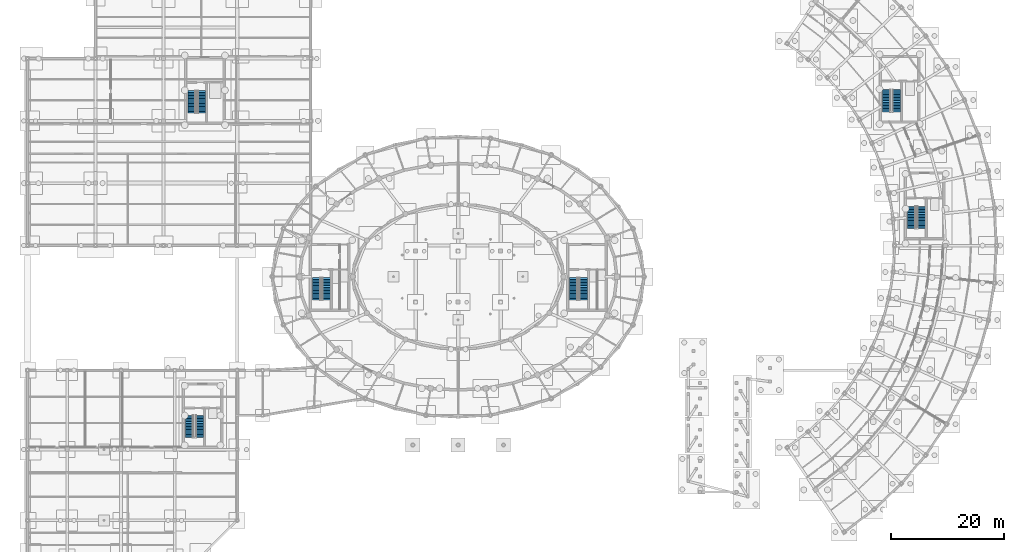
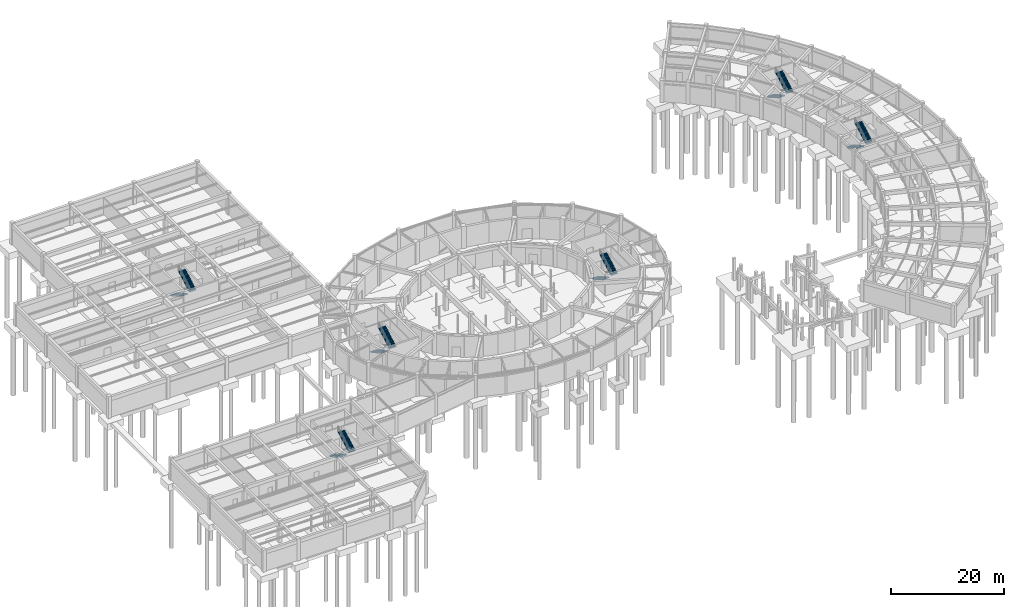
# One storey, part 28 of 42: 12 stair flights, 6 elements without a shape of their own.
"""IFC4 building model written with IfcOpenShell, lengths in metres."""

import ifcopenshell
import ifcopenshell.guid

model = None  # the IFC model being written
_history = None  # IfcOwnerHistory: only IFC2X3 demands one
_inside = {}  # id of a spatial element -> (the spatial element, [elements in it])
_under = {}  # id of a project, library or spatial element -> (it, [spatial elements below it])
_declared = {}  # id of a project -> (the project, [libraries it declares])
_typed = {}  # id of a type object -> (the type object, [elements of that type])
_made_of = {}  # id of a material, layer set ... -> (it, [elements and type objects made of it])


def new_model(schema):
    """Start an empty IFC model of exactly this schema.

    Asked for "IFC4X3", IfcOpenShell would pick the latest addendum, in which some entities
    have other attributes; the version numbers below select the first issue.
    IFC2X3 requires an IfcOwnerHistory on every rooted entity: one is made here for all.
    """
    global model, _history
    if schema == "IFC4X3":
        model = ifcopenshell.file(schema_version=(4, 3, 0, 0))
    else:
        model = ifcopenshell.file(schema=schema)
    _inside.clear()
    _under.clear()
    _declared.clear()
    _typed.clear()
    _made_of.clear()
    _history = None
    if model.schema == "IFC2X3":
        org = make("IfcOrganization", Name="unknown")
        user = make(
            "IfcPersonAndOrganization",
            ThePerson=make("IfcPerson", FamilyName="unknown"),
            TheOrganization=org,
        )
        app = make(
            "IfcApplication",
            ApplicationDeveloper=org,
            Version="unknown",
            ApplicationFullName="unknown",
            ApplicationIdentifier="unknown",
        )
        _history = make(
            "IfcOwnerHistory",
            OwningUser=user,
            OwningApplication=app,
            ChangeAction="ADDED",
            CreationDate=0,
        )
    return model


def make(cls, **values):
    """One entity of the class cls with the attributes given. An attribute that is None is left unset."""
    return model.create_entity(
        cls, **{name: value for name, value in values.items() if value is not None}
    )


def rooted(cls, **values):
    """An entity with a GlobalId (a new one), such as an element, a storey or a relation."""
    return make(cls, GlobalId=ifcopenshell.guid.new(), OwnerHistory=_history, **values)


def si_unit(unit_type, name, prefix=None):
    """IfcSIUnit, for example si_unit("LENGTHUNIT", "METRE", prefix="MILLI")."""
    return make("IfcSIUnit", UnitType=unit_type, Prefix=prefix, Name=name)


def assignment(units):
    """IfcUnitAssignment: the units of a project."""
    return None if units is None else make("IfcUnitAssignment", Units=units)


def point(xyz):
    """IfcCartesianPoint."""
    return None if xyz is None else make("IfcCartesianPoint", Coordinates=xyz)


def direction(xyz):
    """IfcDirection."""
    return None if xyz is None else make("IfcDirection", DirectionRatios=xyz)


def frame(location, z_axis=None, x_axis=None):
    """IfcAxis2Placement3D, a coordinate frame: its origin and axes. An axis left out is left unset."""
    return make(
        "IfcAxis2Placement3D",
        Location=point(location),
        Axis=direction(z_axis),
        RefDirection=direction(x_axis),
    )


def origin():
    """The frame at (0, 0, 0) with its axes left unset."""
    return frame((0.0, 0.0, 0.0))


def place(relative_to, where):
    """IfcLocalPlacement: puts the frame where relative to a parent placement (None: the world)."""
    return make(
        "IfcLocalPlacement", PlacementRelTo=relative_to, RelativePlacement=where
    )


def context(
    kind, dimensions, precision=None, world=None, true_north=None, identifier=None
):
    """IfcGeometricRepresentationContext, for example the 3D "Model" context."""
    return make(
        "IfcGeometricRepresentationContext",
        ContextIdentifier=identifier,
        ContextType=kind,
        CoordinateSpaceDimension=dimensions,
        Precision=precision,
        WorldCoordinateSystem=world,
        TrueNorth=true_north,
    )


def subcontext(parent, identifier, kind, view, scale=None):
    """IfcGeometricRepresentationSubContext, for example "Body" below "Model"."""
    return make(
        "IfcGeometricRepresentationSubContext",
        ContextIdentifier=identifier,
        ContextType=kind,
        ParentContext=parent,
        TargetScale=scale,
        TargetView=view,
    )


def project(units=None, contexts=None):
    """IfcProject with its units and contexts."""
    return rooted(
        "IfcProject",
        Name="project",
        RepresentationContexts=contexts,
        UnitsInContext=assignment(units),
    )


def spatial(cls, under=None, at=None, **own):
    """A site, building, storey or space (cls), placed at a placement, below another one or the project."""
    s = rooted(cls, ObjectPlacement=at, **own)
    if under is not None:
        _under.setdefault(under.id(), (under, []))[1].append(s)
    return s


def polyline(points):
    """IfcPolyline through the points."""
    return make("IfcPolyline", Points=[point(p) for p in points])


def outline(outer, holes=None, kind="AREA"):
    """IfcArbitraryClosedProfileDef: a profile drawn as a closed curve; with holes, ...WithVoids."""
    if holes is None:
        return make("IfcArbitraryClosedProfileDef", ProfileType=kind, OuterCurve=outer)
    return make(
        "IfcArbitraryProfileDefWithVoids",
        ProfileType=kind,
        OuterCurve=outer,
        InnerCurves=holes,
    )


def extrude(swept, where, along, depth):
    """IfcExtrudedAreaSolid: the profile swept, set in the frame where, extruded along a direction by depth."""
    return make(
        "IfcExtrudedAreaSolid",
        SweptArea=swept,
        Position=where,
        ExtrudedDirection=direction(along),
        Depth=depth,
    )


def shape(context_of_items, identifier, shape_type, items):
    """IfcShapeRepresentation: the items that make up one representation, for example the "Body"."""
    return make(
        "IfcShapeRepresentation",
        ContextOfItems=context_of_items,
        RepresentationIdentifier=identifier,
        RepresentationType=shape_type,
        Items=items,
    )


def material(Name=None, Category=None):
    """IfcMaterial."""
    return make("IfcMaterial", Name=Name, Category=Category)


def made_of(thing, what):
    """Note that an element or type object is made of a material, layer set ...; save() writes the relation."""
    if what is not None:
        _made_of.setdefault(what.id(), (what, []))[1].append(thing)
    return thing


def type_object(cls, material=None, **own):
    """A type object (cls), such as IfcWallType, which elements share."""
    return made_of(rooted(cls, **own), material)


def element(
    cls,
    number,
    at=None,
    inside=None,
    cuts=None,
    type_object=None,
    material=None,
    context=None,
    identifier="Body",
    shape_type=None,
    held_by="IfcProductDefinitionShape",
    body=None,
    shapes=None,
    **own,
):
    """One element of the class cls, such as IfcWall. Its Tag is "e" and its number.

    at: its placement. inside: the storey or other place that contains it. cuts: it is an
    opening in that element (IfcRelVoidsElement). A single representation is given by context,
    identifier, shape_type and body (its items); several are given by shapes. held_by: the class
    of the entity that holds the representations. save() writes the other relations.
    """
    e = rooted(cls, Tag="e%d" % number, ObjectPlacement=at, **own)
    if body is not None:
        shapes = [shape(context, identifier, shape_type, body)]
    if shapes is not None:
        e.Representation = make(held_by, Representations=shapes)
    if inside is not None:
        _inside.setdefault(inside.id(), (inside, []))[1].append(e)
    if cuts is not None:
        rooted(
            "IfcRelVoidsElement", RelatingBuildingElement=cuts, RelatedOpeningElement=e
        )
    if type_object is not None:
        _typed.setdefault(type_object.id(), (type_object, []))[1].append(e)
    return made_of(e, material)


def aggregate(whole, parts):
    """IfcRelAggregates: a whole, such as a stair, and the parts it consists of."""
    return rooted("IfcRelAggregates", RelatingObject=whole, RelatedObjects=parts)


def save(model, path):
    """Write the relations noted so far, then the file.

    IfcRelAggregates (storeys below a building ...), IfcRelContainedInSpatialStructure (elements
    in a storey), IfcRelDefinesByType, IfcRelAssociatesMaterial and IfcRelDeclares: one each for
    every whole, place, type object, material and project.
    """
    for whole, parts in _under.values():
        aggregate(whole, parts)
    for where, things in _inside.values():
        rooted(
            "IfcRelContainedInSpatialStructure",
            RelatedElements=things,
            RelatingStructure=where,
        )
    for kind, things in _typed.values():
        rooted("IfcRelDefinesByType", RelatedObjects=things, RelatingType=kind)
    for what, things in _made_of.values():
        rooted("IfcRelAssociatesMaterial", RelatedObjects=things, RelatingMaterial=what)
    for by, libraries in _declared.values():
        rooted("IfcRelDeclares", RelatingContext=by, RelatedDefinitions=libraries)
    model.write(path)


model = new_model("IFC4")

# Units and contexts
model_context = context("Model", 3, precision=1e-05, world=origin(), true_north=direction((0.0, 1.0)))
body_context = subcontext(model_context, "Body", "Model", "MODEL_VIEW")
ifc_project = project(units=[si_unit("LENGTHUNIT", "METRE"), si_unit("AREAUNIT", "SQUARE_METRE"), si_unit("VOLUMEUNIT", "CUBIC_METRE"), si_unit("PLANEANGLEUNIT", "RADIAN"), si_unit("MASSUNIT", "GRAM", prefix="KILO")], contexts=[model_context])

# Site, building, storey
site_placement = place(None, origin())
site = spatial("IfcSite", under=ifc_project, at=site_placement, CompositionType="ELEMENT")
building_placement = place(site_placement, origin())
building = spatial("IfcBuilding", under=site, at=building_placement, Name="Tarnveldt Headland Concert Hall", CompositionType="ELEMENT")
storey_placement = place(building_placement, frame((0.0, 0.0, -4.800048828125)))
storey = spatial("IfcBuildingStorey", under=building, at=storey_placement, Name="B1", CompositionType="ELEMENT", Elevation=-4.800048828125)

# Stair, stair flights
ifc_material = material(Name="Concrete C40/50", Category="concrete")
stair_type_1 = type_object("IfcStairType", Name="ST-C5-480", PredefinedType="HALF_TURN_STAIR", material=ifc_material)
stair_1_placement = place(storey_placement, origin())
stair_1 = element("IfcStair", 1, at=stair_1_placement, inside=storey, type_object=stair_type_1, Name="Exit stair STR-C5-B1", PredefinedType="HALF_TURN_STAIR")
stair_flight_type_1 = type_object("IfcStairFlightType", Name="SF-134x160", PredefinedType="STRAIGHT", material=ifc_material)
stair_flight_1_placement = place(storey_placement, frame((36.06005859375, 30.0400390625, 0.0), z_axis=(0.0, 0.0, 1.0), x_axis=(0.0, -1.0, 0.0)))
stair_flight_1 = element("IfcStairFlight", 2, at=stair_flight_1_placement, type_object=stair_flight_type_1, Name="Stair flight STR-C5-B1-F1", NumberOfRisers=15, NumberOfTreads=14, PredefinedType="STRAIGHT", RiserHeight=0.16, TreadLength=0.28, context=body_context, shape_type="SweptSolid", body=[
    extrude(outline(polyline([(0.0, 0.0), (0.0, 0.159912109375), (0.280029296875, 0.159912109375), (0.280029296875, 0.320068359375), (0.56005859375, 0.320068359375), (0.56005859375, 0.47998046875), (0.840087890625, 0.47998046875), (0.840087890625, 0.639892578125), (1.1201171875, 0.639892578125), (1.1201171875, 0.800048828125), (1.39990234375, 0.800048828125), (1.39990234375, 0.9599609375), (1.679931640625, 0.9599609375), (1.679931640625, 1.1201171875), (1.9599609375, 1.1201171875), (1.9599609375, 1.280029296875), (2.239990234375, 1.280029296875), (2.239990234375, 1.43994140625), (2.52001953125, 1.43994140625), (2.52001953125, 1.60009765625), (2.800048828125, 1.60009765625), (2.800048828125, 1.760009765625), (3.080078125, 1.760009765625), (3.080078125, 1.919921875), (3.360107421875, 1.919921875), (3.360107421875, 2.080078125), (3.639892578125, 2.080078125), (3.639892578125, 2.239990234375), (3.919921875, 2.239990234375), (3.919921875, 2.39990234375), (3.919921875, 2.055908203125), (0.322265625, 0.0), (0.0, 0.0)])), frame((0.0, 0.669921875, 0.0), z_axis=(0.0, -1.0, 0.0), x_axis=(1.0, 0.0, 0.0)), (0.0, 0.0, 1.0), 1.340087890625),
])
stair_flight_2_placement = place(storey_placement, frame((37.860107421875, 26.1201171875, 2.400146484375), z_axis=(0.0, 0.0, 1.0), x_axis=(0.0, 1.0, 0.0)))
stair_flight_2 = element("IfcStairFlight", 3, at=stair_flight_2_placement, type_object=stair_flight_type_1, Name="Stair flight STR-C5-B1-F2", NumberOfRisers=15, NumberOfTreads=14, PredefinedType="STRAIGHT", RiserHeight=0.16, TreadLength=0.28, context=body_context, shape_type="SweptSolid", body=[
    extrude(outline(polyline([(0.0, 0.0), (0.0, 0.159912109375), (0.280029296875, 0.159912109375), (0.280029296875, 0.320068359375), (0.56005859375, 0.320068359375), (0.56005859375, 0.47998046875), (0.840087890625, 0.47998046875), (0.840087890625, 0.639892578125), (1.1201171875, 0.639892578125), (1.1201171875, 0.800048828125), (1.39990234375, 0.800048828125), (1.39990234375, 0.9599609375), (1.679931640625, 0.9599609375), (1.679931640625, 1.1201171875), (1.9599609375, 1.1201171875), (1.9599609375, 1.280029296875), (2.239990234375, 1.280029296875), (2.239990234375, 1.43994140625), (2.52001953125, 1.43994140625), (2.52001953125, 1.60009765625), (2.800048828125, 1.60009765625), (2.800048828125, 1.760009765625), (3.080078125, 1.760009765625), (3.080078125, 1.919921875), (3.360107421875, 1.919921875), (3.360107421875, 2.080078125), (3.639892578125, 2.080078125), (3.639892578125, 2.239990234375), (3.919921875, 2.239990234375), (3.919921875, 2.39990234375), (3.919921875, 2.055908203125), (0.322265625, 0.0), (0.0, 0.0)])), frame((0.0, 0.669921875, 0.0), z_axis=(0.0, -1.0, 0.0), x_axis=(1.0, 0.0, 0.0)), (0.0, 0.0, 1.0), 1.340087890625),
])
aggregate(stair_1, [stair_flight_1, stair_flight_2])

stair_type_2 = type_object("IfcStairType", Name="ST-CORE480", PredefinedType="HALF_TURN_STAIR", material=ifc_material)
stair_2_placement = place(storey_placement, origin())
stair_2 = element("IfcStair", 4, at=stair_2_placement, inside=storey, type_object=stair_type_2, Name="Exit stair STR-C1-B1", PredefinedType="HALF_TURN_STAIR")
stair_flight_type_2 = type_object("IfcStairFlightType", Name="SF-140x160", PredefinedType="STRAIGHT", material=ifc_material)
stair_flight_3_placement = place(storey_placement, frame((58.489990234375, 54.320068359375, 0.0), z_axis=(0.0, 0.0, 1.0), x_axis=(0.0, -1.0, 0.0)))
stair_flight_3 = element("IfcStairFlight", 5, at=stair_flight_3_placement, type_object=stair_flight_type_2, Name="Stair flight STR-C1-B1-F1", NumberOfRisers=15, NumberOfTreads=14, PredefinedType="STRAIGHT", RiserHeight=0.16, TreadLength=0.28, context=body_context, shape_type="SweptSolid", body=[
    extrude(outline(polyline([(0.0, 0.0), (0.0, 0.159912109375), (0.280029296875, 0.159912109375), (0.280029296875, 0.320068359375), (0.56005859375, 0.320068359375), (0.56005859375, 0.47998046875), (0.840087890625, 0.47998046875), (0.840087890625, 0.639892578125), (1.1201171875, 0.639892578125), (1.1201171875, 0.800048828125), (1.39990234375, 0.800048828125), (1.39990234375, 0.9599609375), (1.679931640625, 0.9599609375), (1.679931640625, 1.1201171875), (1.9599609375, 1.1201171875), (1.9599609375, 1.280029296875), (2.239990234375, 1.280029296875), (2.239990234375, 1.43994140625), (2.52001953125, 1.43994140625), (2.52001953125, 1.60009765625), (2.800048828125, 1.60009765625), (2.800048828125, 1.760009765625), (3.080078125, 1.760009765625), (3.080078125, 1.919921875), (3.360107421875, 1.919921875), (3.360107421875, 2.080078125), (3.639892578125, 2.080078125), (3.639892578125, 2.239990234375), (3.919921875, 2.239990234375), (3.919921875, 2.39990234375), (3.919921875, 2.055908203125), (0.322265625, 0.0), (0.0, 0.0)])), frame((0.0, 0.699951171875, 0.0), z_axis=(0.0, -1.0, 0.0), x_axis=(1.0, 0.0, 0.0)), (0.0, 0.0, 1.0), 1.39990234375),
])
stair_flight_4_placement = place(storey_placement, frame((60.22998046875, 50.39990234375, 2.400146484375), z_axis=(0.0, 0.0, 1.0), x_axis=(0.0, 1.0, 0.0)))
stair_flight_4 = element("IfcStairFlight", 6, at=stair_flight_4_placement, type_object=stair_flight_type_2, Name="Stair flight STR-C1-B1-F2", NumberOfRisers=15, NumberOfTreads=14, PredefinedType="STRAIGHT", RiserHeight=0.16, TreadLength=0.28, context=body_context, shape_type="SweptSolid", body=[
    extrude(outline(polyline([(0.0, 0.0), (0.0, 0.159912109375), (0.280029296875, 0.159912109375), (0.280029296875, 0.320068359375), (0.56005859375, 0.320068359375), (0.56005859375, 0.47998046875), (0.840087890625, 0.47998046875), (0.840087890625, 0.639892578125), (1.1201171875, 0.639892578125), (1.1201171875, 0.800048828125), (1.39990234375, 0.800048828125), (1.39990234375, 0.9599609375), (1.679931640625, 0.9599609375), (1.679931640625, 1.1201171875), (1.9599609375, 1.1201171875), (1.9599609375, 1.280029296875), (2.239990234375, 1.280029296875), (2.239990234375, 1.43994140625), (2.52001953125, 1.43994140625), (2.52001953125, 1.60009765625), (2.800048828125, 1.60009765625), (2.800048828125, 1.760009765625), (3.080078125, 1.760009765625), (3.080078125, 1.919921875), (3.360107421875, 1.919921875), (3.360107421875, 2.080078125), (3.639892578125, 2.080078125), (3.639892578125, 2.239990234375), (3.919921875, 2.239990234375), (3.919921875, 2.39990234375), (3.919921875, 2.055908203125), (0.322265625, 0.0), (0.0, 0.0)])), frame((0.0, 0.699951171875, 0.0), z_axis=(0.0, -1.0, 0.0), x_axis=(1.0, 0.0, 0.0)), (0.0, 0.0, 1.0), 1.39990234375),
])
aggregate(stair_2, [stair_flight_3, stair_flight_4])

stair_3_placement = place(storey_placement, origin())
stair_3 = element("IfcStair", 7, at=stair_3_placement, inside=storey, type_object=stair_type_2, Name="Exit stair STR-C2-B1", PredefinedType="HALF_TURN_STAIR")
stair_flight_5_placement = place(storey_placement, frame((103.889892578125, 54.320068359375, 0.0), z_axis=(0.0, 0.0, 1.0), x_axis=(0.0, -1.0, 0.0)))
stair_flight_5 = element("IfcStairFlight", 8, at=stair_flight_5_placement, type_object=stair_flight_type_2, Name="Stair flight STR-C2-B1-F1", NumberOfRisers=15, NumberOfTreads=14, PredefinedType="STRAIGHT", RiserHeight=0.16, TreadLength=0.28, context=body_context, shape_type="SweptSolid", body=[
    extrude(outline(polyline([(0.0, 0.0), (0.0, 0.159912109375), (0.280029296875, 0.159912109375), (0.280029296875, 0.320068359375), (0.56005859375, 0.320068359375), (0.56005859375, 0.47998046875), (0.840087890625, 0.47998046875), (0.840087890625, 0.639892578125), (1.1201171875, 0.639892578125), (1.1201171875, 0.800048828125), (1.39990234375, 0.800048828125), (1.39990234375, 0.9599609375), (1.679931640625, 0.9599609375), (1.679931640625, 1.1201171875), (1.9599609375, 1.1201171875), (1.9599609375, 1.280029296875), (2.239990234375, 1.280029296875), (2.239990234375, 1.43994140625), (2.52001953125, 1.43994140625), (2.52001953125, 1.60009765625), (2.800048828125, 1.60009765625), (2.800048828125, 1.760009765625), (3.080078125, 1.760009765625), (3.080078125, 1.919921875), (3.360107421875, 1.919921875), (3.360107421875, 2.080078125), (3.639892578125, 2.080078125), (3.639892578125, 2.239990234375), (3.919921875, 2.239990234375), (3.919921875, 2.39990234375), (3.919921875, 2.055908203125), (0.322265625, 0.0), (0.0, 0.0)])), frame((0.0, 0.699951171875, 0.0), z_axis=(0.0, -1.0, 0.0), x_axis=(1.0, 0.0, 0.0)), (0.0, 0.0, 1.0), 1.39990234375),
])
stair_flight_6_placement = place(storey_placement, frame((105.6298828125, 50.39990234375, 2.400146484375), z_axis=(0.0, 0.0, 1.0), x_axis=(0.0, 1.0, 0.0)))
stair_flight_6 = element("IfcStairFlight", 9, at=stair_flight_6_placement, type_object=stair_flight_type_2, Name="Stair flight STR-C2-B1-F2", NumberOfRisers=15, NumberOfTreads=14, PredefinedType="STRAIGHT", RiserHeight=0.16, TreadLength=0.28, context=body_context, shape_type="SweptSolid", body=[
    extrude(outline(polyline([(0.0, 0.0), (0.0, 0.159912109375), (0.280029296875, 0.159912109375), (0.280029296875, 0.320068359375), (0.56005859375, 0.320068359375), (0.56005859375, 0.47998046875), (0.840087890625, 0.47998046875), (0.840087890625, 0.639892578125), (1.1201171875, 0.639892578125), (1.1201171875, 0.800048828125), (1.39990234375, 0.800048828125), (1.39990234375, 0.9599609375), (1.679931640625, 0.9599609375), (1.679931640625, 1.1201171875), (1.9599609375, 1.1201171875), (1.9599609375, 1.280029296875), (2.239990234375, 1.280029296875), (2.239990234375, 1.43994140625), (2.52001953125, 1.43994140625), (2.52001953125, 1.60009765625), (2.800048828125, 1.60009765625), (2.800048828125, 1.760009765625), (3.080078125, 1.760009765625), (3.080078125, 1.919921875), (3.360107421875, 1.919921875), (3.360107421875, 2.080078125), (3.639892578125, 2.080078125), (3.639892578125, 2.239990234375), (3.919921875, 2.239990234375), (3.919921875, 2.39990234375), (3.919921875, 2.055908203125), (0.322265625, 0.0), (0.0, 0.0)])), frame((0.0, 0.699951171875, 0.0), z_axis=(0.0, -1.0, 0.0), x_axis=(1.0, 0.0, 0.0)), (0.0, 0.0, 1.0), 1.39990234375),
])
aggregate(stair_3, [stair_flight_5, stair_flight_6])

stair_4_placement = place(storey_placement, origin())
stair_4 = element("IfcStair", 10, at=stair_4_placement, inside=storey, type_object=stair_type_2, Name="Exit stair STR-C3-B1", PredefinedType="HALF_TURN_STAIR")
stair_flight_7_placement = place(storey_placement, frame((159.090087890625, 87.52001953125, 0.0), z_axis=(0.0, 0.0, 1.0), x_axis=(0.0, -1.0, 0.0)))
stair_flight_7 = element("IfcStairFlight", 11, at=stair_flight_7_placement, type_object=stair_flight_type_2, Name="Stair flight STR-C3-B1-F1", NumberOfRisers=15, NumberOfTreads=14, PredefinedType="STRAIGHT", RiserHeight=0.16, TreadLength=0.28, context=body_context, shape_type="SweptSolid", body=[
    extrude(outline(polyline([(0.0, 0.0), (0.0, 0.159912109375), (0.280029296875, 0.159912109375), (0.280029296875, 0.320068359375), (0.56005859375, 0.320068359375), (0.56005859375, 0.47998046875), (0.840087890625, 0.47998046875), (0.840087890625, 0.639892578125), (1.1201171875, 0.639892578125), (1.1201171875, 0.800048828125), (1.39990234375, 0.800048828125), (1.39990234375, 0.9599609375), (1.679931640625, 0.9599609375), (1.679931640625, 1.1201171875), (1.9599609375, 1.1201171875), (1.9599609375, 1.280029296875), (2.239990234375, 1.280029296875), (2.239990234375, 1.43994140625), (2.52001953125, 1.43994140625), (2.52001953125, 1.60009765625), (2.800048828125, 1.60009765625), (2.800048828125, 1.760009765625), (3.080078125, 1.760009765625), (3.080078125, 1.919921875), (3.360107421875, 1.919921875), (3.360107421875, 2.080078125), (3.639892578125, 2.080078125), (3.639892578125, 2.239990234375), (3.919921875, 2.239990234375), (3.919921875, 2.39990234375), (3.919921875, 2.055908203125), (0.322265625, 0.0), (0.0, 0.0)])), frame((0.0, 0.699951171875, 0.0), z_axis=(0.0, -1.0, 0.0), x_axis=(1.0, 0.0, 0.0)), (0.0, 0.0, 1.0), 1.39990234375),
])
stair_flight_8_placement = place(storey_placement, frame((160.830078125, 83.60009765625, 2.400146484375), z_axis=(0.0, 0.0, 1.0), x_axis=(0.0, 1.0, 0.0)))
stair_flight_8 = element("IfcStairFlight", 12, at=stair_flight_8_placement, type_object=stair_flight_type_2, Name="Stair flight STR-C3-B1-F2", NumberOfRisers=15, NumberOfTreads=14, PredefinedType="STRAIGHT", RiserHeight=0.16, TreadLength=0.28, context=body_context, shape_type="SweptSolid", body=[
    extrude(outline(polyline([(0.0, 0.0), (0.0, 0.159912109375), (0.280029296875, 0.159912109375), (0.280029296875, 0.320068359375), (0.56005859375, 0.320068359375), (0.56005859375, 0.47998046875), (0.840087890625, 0.47998046875), (0.840087890625, 0.639892578125), (1.1201171875, 0.639892578125), (1.1201171875, 0.800048828125), (1.39990234375, 0.800048828125), (1.39990234375, 0.9599609375), (1.679931640625, 0.9599609375), (1.679931640625, 1.1201171875), (1.9599609375, 1.1201171875), (1.9599609375, 1.280029296875), (2.239990234375, 1.280029296875), (2.239990234375, 1.43994140625), (2.52001953125, 1.43994140625), (2.52001953125, 1.60009765625), (2.800048828125, 1.60009765625), (2.800048828125, 1.760009765625), (3.080078125, 1.760009765625), (3.080078125, 1.919921875), (3.360107421875, 1.919921875), (3.360107421875, 2.080078125), (3.639892578125, 2.080078125), (3.639892578125, 2.239990234375), (3.919921875, 2.239990234375), (3.919921875, 2.39990234375), (3.919921875, 2.055908203125), (0.322265625, 0.0), (0.0, 0.0)])), frame((0.0, 0.699951171875, 0.0), z_axis=(0.0, -1.0, 0.0), x_axis=(1.0, 0.0, 0.0)), (0.0, 0.0, 1.0), 1.39990234375),
])
aggregate(stair_4, [stair_flight_7, stair_flight_8])

stair_5_placement = place(storey_placement, origin())
stair_5 = element("IfcStair", 13, at=stair_5_placement, inside=storey, type_object=stair_type_2, Name="Exit stair STR-C4-B1", PredefinedType="HALF_TURN_STAIR")
stair_flight_9_placement = place(storey_placement, frame((163.489990234375, 66.919921875, 0.0), z_axis=(0.0, 0.0, 1.0), x_axis=(0.0, -1.0, 0.0)))
stair_flight_9 = element("IfcStairFlight", 14, at=stair_flight_9_placement, type_object=stair_flight_type_2, Name="Stair flight STR-C4-B1-F1", NumberOfRisers=15, NumberOfTreads=14, PredefinedType="STRAIGHT", RiserHeight=0.16, TreadLength=0.28, context=body_context, shape_type="SweptSolid", body=[
    extrude(outline(polyline([(0.0, 0.0), (0.0, 0.159912109375), (0.280029296875, 0.159912109375), (0.280029296875, 0.320068359375), (0.56005859375, 0.320068359375), (0.56005859375, 0.47998046875), (0.840087890625, 0.47998046875), (0.840087890625, 0.639892578125), (1.1201171875, 0.639892578125), (1.1201171875, 0.800048828125), (1.39990234375, 0.800048828125), (1.39990234375, 0.9599609375), (1.679931640625, 0.9599609375), (1.679931640625, 1.1201171875), (1.9599609375, 1.1201171875), (1.9599609375, 1.280029296875), (2.239990234375, 1.280029296875), (2.239990234375, 1.43994140625), (2.52001953125, 1.43994140625), (2.52001953125, 1.60009765625), (2.800048828125, 1.60009765625), (2.800048828125, 1.760009765625), (3.080078125, 1.760009765625), (3.080078125, 1.919921875), (3.360107421875, 1.919921875), (3.360107421875, 2.080078125), (3.639892578125, 2.080078125), (3.639892578125, 2.239990234375), (3.919921875, 2.239990234375), (3.919921875, 2.39990234375), (3.919921875, 2.055908203125), (0.322265625, 0.0), (0.0, 0.0)])), frame((0.0, 0.699951171875, 0.0), z_axis=(0.0, -1.0, 0.0), x_axis=(1.0, 0.0, 0.0)), (0.0, 0.0, 1.0), 1.39990234375),
])
stair_flight_10_placement = place(storey_placement, frame((165.22998046875, 63.0, 2.400146484375), z_axis=(0.0, 0.0, 1.0), x_axis=(0.0, 1.0, 0.0)))
stair_flight_10 = element("IfcStairFlight", 15, at=stair_flight_10_placement, type_object=stair_flight_type_2, Name="Stair flight STR-C4-B1-F2", NumberOfRisers=15, NumberOfTreads=14, PredefinedType="STRAIGHT", RiserHeight=0.16, TreadLength=0.28, context=body_context, shape_type="SweptSolid", body=[
    extrude(outline(polyline([(0.0, 0.0), (0.0, 0.159912109375), (0.280029296875, 0.159912109375), (0.280029296875, 0.320068359375), (0.56005859375, 0.320068359375), (0.56005859375, 0.47998046875), (0.840087890625, 0.47998046875), (0.840087890625, 0.639892578125), (1.1201171875, 0.639892578125), (1.1201171875, 0.800048828125), (1.39990234375, 0.800048828125), (1.39990234375, 0.9599609375), (1.679931640625, 0.9599609375), (1.679931640625, 1.1201171875), (1.9599609375, 1.1201171875), (1.9599609375, 1.280029296875), (2.239990234375, 1.280029296875), (2.239990234375, 1.43994140625), (2.52001953125, 1.43994140625), (2.52001953125, 1.60009765625), (2.800048828125, 1.60009765625), (2.800048828125, 1.760009765625), (3.080078125, 1.760009765625), (3.080078125, 1.919921875), (3.360107421875, 1.919921875), (3.360107421875, 2.080078125), (3.639892578125, 2.080078125), (3.639892578125, 2.239990234375), (3.919921875, 2.239990234375), (3.919921875, 2.39990234375), (3.919921875, 2.055908203125), (0.322265625, 0.0), (0.0, 0.0)])), frame((0.0, 0.699951171875, 0.0), z_axis=(0.0, -1.0, 0.0), x_axis=(1.0, 0.0, 0.0)), (0.0, 0.0, 1.0), 1.39990234375),
])
aggregate(stair_5, [stair_flight_9, stair_flight_10])

stair_6_placement = place(storey_placement, origin())
stair_6 = element("IfcStair", 16, at=stair_6_placement, inside=storey, type_object=stair_type_2, Name="Exit stair STR-C6-B1", PredefinedType="HALF_TURN_STAIR")
stair_flight_11_placement = place(storey_placement, frame((36.489990234375, 87.320068359375, 0.0), z_axis=(0.0, 0.0, 1.0), x_axis=(0.0, -1.0, 0.0)))
stair_flight_11 = element("IfcStairFlight", 17, at=stair_flight_11_placement, type_object=stair_flight_type_2, Name="Stair flight STR-C6-B1-F1", NumberOfRisers=15, NumberOfTreads=14, PredefinedType="STRAIGHT", RiserHeight=0.16, TreadLength=0.28, context=body_context, shape_type="SweptSolid", body=[
    extrude(outline(polyline([(0.0, 0.0), (0.0, 0.159912109375), (0.280029296875, 0.159912109375), (0.280029296875, 0.320068359375), (0.56005859375, 0.320068359375), (0.56005859375, 0.47998046875), (0.840087890625, 0.47998046875), (0.840087890625, 0.639892578125), (1.1201171875, 0.639892578125), (1.1201171875, 0.800048828125), (1.39990234375, 0.800048828125), (1.39990234375, 0.9599609375), (1.679931640625, 0.9599609375), (1.679931640625, 1.1201171875), (1.9599609375, 1.1201171875), (1.9599609375, 1.280029296875), (2.239990234375, 1.280029296875), (2.239990234375, 1.43994140625), (2.52001953125, 1.43994140625), (2.52001953125, 1.60009765625), (2.800048828125, 1.60009765625), (2.800048828125, 1.760009765625), (3.080078125, 1.760009765625), (3.080078125, 1.919921875), (3.360107421875, 1.919921875), (3.360107421875, 2.080078125), (3.639892578125, 2.080078125), (3.639892578125, 2.239990234375), (3.919921875, 2.239990234375), (3.919921875, 2.39990234375), (3.919921875, 2.055908203125), (0.322265625, 0.0), (0.0, 0.0)])), frame((0.0, 0.699951171875, 0.0), z_axis=(0.0, -1.0, 0.0), x_axis=(1.0, 0.0, 0.0)), (0.0, 0.0, 1.0), 1.39990234375),
])
stair_flight_12_placement = place(storey_placement, frame((38.22998046875, 83.39990234375, 2.400146484375), z_axis=(0.0, 0.0, 1.0), x_axis=(0.0, 1.0, 0.0)))
stair_flight_12 = element("IfcStairFlight", 18, at=stair_flight_12_placement, type_object=stair_flight_type_2, Name="Stair flight STR-C6-B1-F2", NumberOfRisers=15, NumberOfTreads=14, PredefinedType="STRAIGHT", RiserHeight=0.16, TreadLength=0.28, context=body_context, shape_type="SweptSolid", body=[
    extrude(outline(polyline([(0.0, 0.0), (0.0, 0.159912109375), (0.280029296875, 0.159912109375), (0.280029296875, 0.320068359375), (0.56005859375, 0.320068359375), (0.56005859375, 0.47998046875), (0.840087890625, 0.47998046875), (0.840087890625, 0.639892578125), (1.1201171875, 0.639892578125), (1.1201171875, 0.800048828125), (1.39990234375, 0.800048828125), (1.39990234375, 0.9599609375), (1.679931640625, 0.9599609375), (1.679931640625, 1.1201171875), (1.9599609375, 1.1201171875), (1.9599609375, 1.280029296875), (2.239990234375, 1.280029296875), (2.239990234375, 1.43994140625), (2.52001953125, 1.43994140625), (2.52001953125, 1.60009765625), (2.800048828125, 1.60009765625), (2.800048828125, 1.760009765625), (3.080078125, 1.760009765625), (3.080078125, 1.919921875), (3.360107421875, 1.919921875), (3.360107421875, 2.080078125), (3.639892578125, 2.080078125), (3.639892578125, 2.239990234375), (3.919921875, 2.239990234375), (3.919921875, 2.39990234375), (3.919921875, 2.055908203125), (0.322265625, 0.0), (0.0, 0.0)])), frame((0.0, 0.699951171875, 0.0), z_axis=(0.0, -1.0, 0.0), x_axis=(1.0, 0.0, 0.0)), (0.0, 0.0, 1.0), 1.39990234375),
])
aggregate(stair_6, [stair_flight_11, stair_flight_12])

save(model, "model.ifc")
